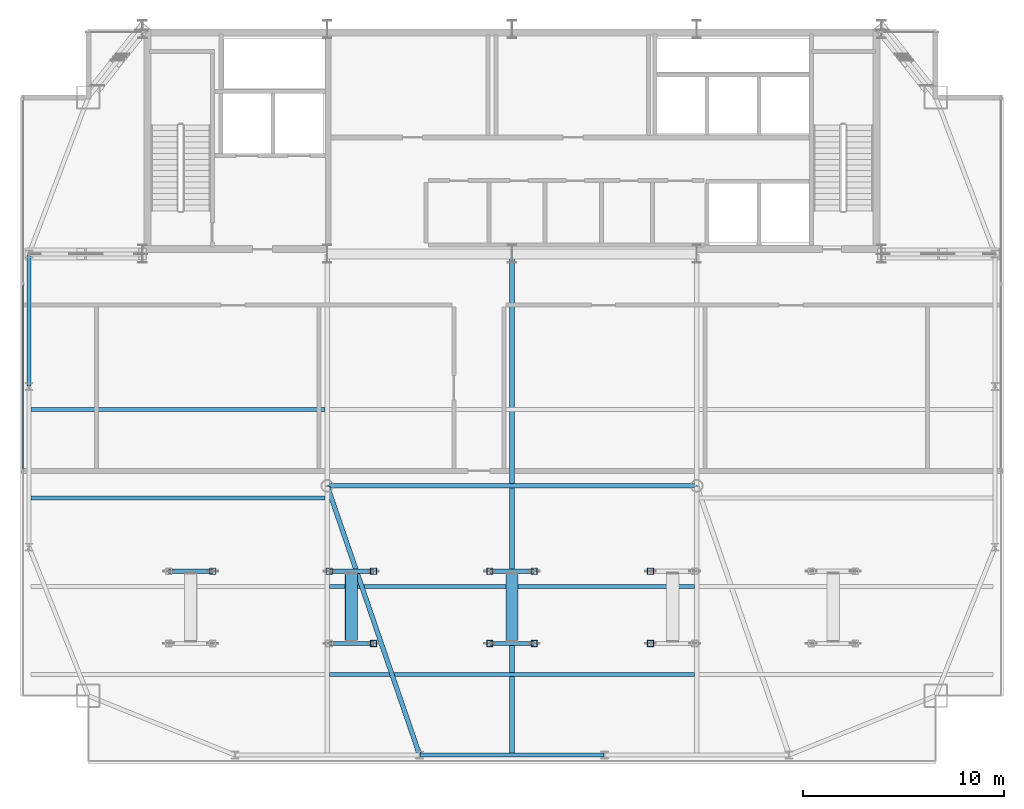
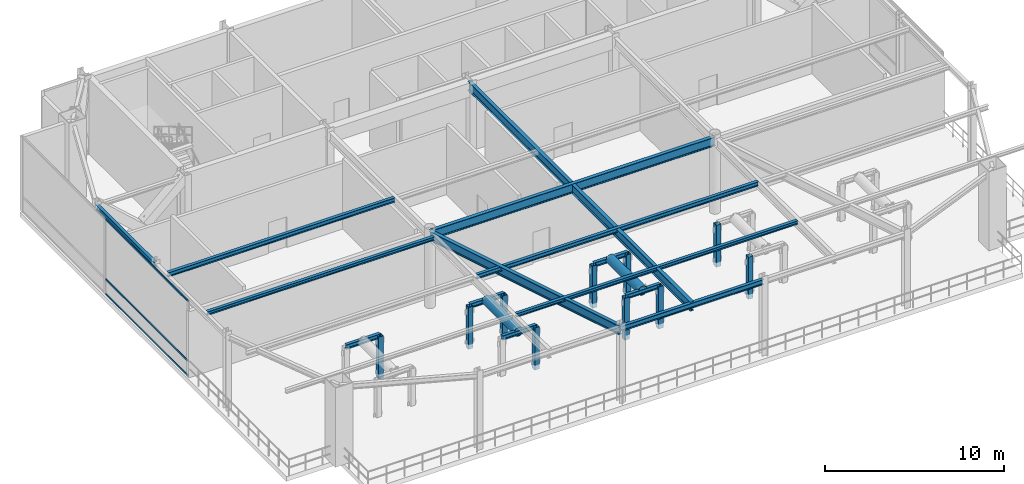
# One storey, part 6 of 21: 15 members, 14 beams, 1 element without a shape of its own.
"""IFC4 building model written with IfcOpenShell, lengths in metres."""

from ifc_helpers import new_model, si_unit, direction, frame, origin, origin_2d, place, context, subcontext, project, spatial, hollow_rectangle, hollow_circle, i_section, extrude, source, transform, mapped, material, layer, layer_set, material_profile, profile_set, type_object, type_shapes, element, aggregate, save


model = new_model("IFC4")

# Units and contexts
model_context = context("Model", 3, precision=1e-05, world=origin(), true_north=direction((0.0, 1.0)))
body_context = subcontext(model_context, "Body", "Model", "MODEL_VIEW")
ifc_project = project(units=[si_unit("LENGTHUNIT", "METRE"), si_unit("AREAUNIT", "SQUARE_METRE"), si_unit("VOLUMEUNIT", "CUBIC_METRE"), si_unit("PLANEANGLEUNIT", "RADIAN"), si_unit("MASSUNIT", "GRAM", prefix="KILO")], contexts=[model_context])

# Site, building, storey
site_placement = place(None, origin())
site = spatial("IfcSite", under=ifc_project, at=site_placement, CompositionType="ELEMENT")
building_placement = place(site_placement, origin())
building = spatial("IfcBuilding", under=site, at=building_placement, Name="Varnel Quay Broadcast Tower", CompositionType="ELEMENT")
storey_placement = place(building_placement, frame((0.0, 0.0, 234.0)))
storey = spatial("IfcBuildingStorey", under=building, at=storey_placement, Name="L58", CompositionType="ELEMENT", Elevation=234.0)

# Beams
ifc_material_1 = material(Name="Structural Steel CSA G40.21 350W", Category="steel")
ifc_material_profile_1 = material_profile(ifc_material_1, i_section(OverallWidth=0.205078125, OverallDepth=0.35400390625, WebThickness=0.009521484375, FlangeThickness=0.016845703125, FilletRadius=0.012939453125, at=origin_2d()), Name="W360X79")
ifc_profile_set_1 = profile_set([ifc_material_profile_1], Name="Structural Steel CSA G40.21 350W")
beam_type_1 = type_object("IfcBeamType", Name="Beam_W360X79", PredefinedType="SPANDREL", material=ifc_profile_set_1)
shared_shape_1 = source(origin(), body_context, "Body", "SweptSolid", [
    extrude(i_section(OverallWidth=0.205078125, OverallDepth=0.35400390625, WebThickness=0.009521484375, FlangeThickness=0.016845703125, FilletRadius=0.012939453125, at=origin_2d()), origin(), (0.0, 0.0, 1.0), 9.16015625),
])
beam_1_placement = place(storey_placement, frame((29.419921875, 10.64990234375, 4.972900390625), z_axis=(1.0, 0.0, 0.0), x_axis=(0.0, 1.0, 0.0)))
element("IfcBeam", 1, at=beam_1_placement, inside=storey, type_object=beam_type_1, Name="L58 South Spandrel TC-S2-TC-S3", PredefinedType="SPANDREL", context=body_context, shape_type="MappedRepresentation", body=[
    mapped(shared_shape_1, transform((0.0, 0.0, 0.0), x_axis=(1.0, 0.0, 0.0), y_axis=(0.0, 1.0, 0.0), z_axis=(0.0, 0.0, 1.0), scale=1.0)),
])
shared_shape_2 = source(origin(), body_context, "Body", "SweptSolid", [
    extrude(i_section(OverallWidth=0.205078125, OverallDepth=0.35400390625, WebThickness=0.009521484375, FlangeThickness=0.016845703125, FilletRadius=0.012939453125, at=origin_2d()), origin(), (0.0, 0.0, 1.0), 6.56005859375),
])
type_shapes(beam_type_1, [shared_shape_1, shared_shape_2])
beam_2_placement = place(storey_placement, frame((9.949951171875, 29.02001953125, 4.972900390625), z_axis=(0.0, 1.0, 0.0), x_axis=(-1.0, 0.0, 0.0)))
element("IfcBeam", 2, at=beam_2_placement, inside=storey, type_object=beam_type_1, Name="L58 West Spandrel TC-W2-TC-W3", PredefinedType="SPANDREL", context=body_context, shape_type="MappedRepresentation", body=[
    mapped(shared_shape_2, transform((0.0, 0.0, 0.0), x_axis=(1.0, 0.0, 0.0), y_axis=(0.0, 1.0, 0.0), z_axis=(0.0, 0.0, 1.0), scale=1.0)),
])
ifc_material_profile_2 = material_profile(ifc_material_1, i_section(OverallWidth=0.22998046875, OverallDepth=0.616943359375, WebThickness=0.01318359375, FlangeThickness=0.022216796875, FilletRadius=0.01611328125, at=origin_2d()), Name="W610X140")
ifc_profile_set_2 = profile_set([ifc_material_profile_2], Name="Structural Steel CSA G40.21 350W")
beam_type_2 = type_object("IfcBeamType", Name="Girder_W610X140", PredefinedType="BEAM", material=ifc_profile_set_2)
shared_shape_3 = source(origin(), body_context, "Body", "SweptSolid", [
    extrude(i_section(OverallWidth=0.22998046875, OverallDepth=0.616943359375, WebThickness=0.01318359375, FlangeThickness=0.022216796875, FilletRadius=0.01611328125, at=origin_2d()), origin(), (0.0, 0.0, 1.0), 14.12744140625),
])
beam_3_placement = place(storey_placement, frame((29.3935546875, 10.6689453125, 4.841552734375), z_axis=(-0.324696747868, 0.945818175932, 0.0), x_axis=(-0.945818175932, -0.324696747868, 0.0)))
element("IfcBeam", 3, at=beam_3_placement, inside=storey, type_object=beam_type_2, Name="L58 Primary Girder TC-S2-IC-01", PredefinedType="BEAM", context=body_context, shape_type="MappedRepresentation", body=[
    mapped(shared_shape_3, transform((0.0, 0.0, 0.0), x_axis=(1.0, 0.0, 0.0), y_axis=(0.0, 1.0, 0.0), z_axis=(0.0, 0.0, 1.0), scale=1.0)),
])
shared_shape_4 = source(origin(), body_context, "Body", "SweptSolid", [
    extrude(i_section(OverallWidth=0.22998046875, OverallDepth=0.616943359375, WebThickness=0.01318359375, FlangeThickness=0.022216796875, FilletRadius=0.01611328125, at=origin_2d()), origin(), (0.0, 0.0, 1.0), 18.35986328125),
])
beam_4_placement = place(storey_placement, frame((24.820068359375, 24.050048828125, 4.841552734375), z_axis=(1.0, 0.0, 0.0), x_axis=(0.0, 1.0, 0.0)))
element("IfcBeam", 4, at=beam_4_placement, inside=storey, type_object=beam_type_2, Name="L58 Interior Spine Girder", PredefinedType="BEAM", context=body_context, shape_type="MappedRepresentation", body=[
    mapped(shared_shape_4, transform((0.0, 0.0, 0.0), x_axis=(1.0, 0.0, 0.0), y_axis=(0.0, 1.0, 0.0), z_axis=(0.0, 0.0, 1.0), scale=1.0)),
])
shared_shape_5 = source(origin(), body_context, "Body", "SweptSolid", [
    extrude(i_section(OverallWidth=0.22998046875, OverallDepth=0.616943359375, WebThickness=0.01318359375, FlangeThickness=0.022216796875, FilletRadius=0.01611328125, at=origin_2d()), origin(), (0.0, 0.0, 1.0), 24.91015625),
])
type_shapes(beam_type_2, [shared_shape_3, shared_shape_4, shared_shape_5])
beam_5_placement = place(storey_placement, frame((34.0, 10.669921875, 4.841552734375), z_axis=(0.0, 1.0, 0.0), x_axis=(-1.0, 0.0, 0.0)))
element("IfcBeam", 5, at=beam_5_placement, inside=storey, type_object=beam_type_2, Name="L58 Central Bay Girder", PredefinedType="BEAM", context=body_context, shape_type="MappedRepresentation", body=[
    mapped(shared_shape_5, transform((0.0, 0.0, 0.0), x_axis=(1.0, 0.0, 0.0), y_axis=(0.0, 1.0, 0.0), z_axis=(0.0, 0.0, 1.0), scale=1.0)),
])
ifc_material_profile_3 = material_profile(ifc_material_1, i_section(OverallWidth=0.201904296875, OverallDepth=0.2470703125, WebThickness=0.00732421875, FlangeThickness=0.010986328125, FilletRadius=0.010986328125, at=origin_2d()), Name="W250X49")
ifc_profile_set_3 = profile_set([ifc_material_profile_3], Name="Structural Steel CSA G40.21 350W")
beam_type_3 = type_object("IfcBeamType", Name="Beam_W250X49", PredefinedType="JOIST", material=ifc_profile_set_3)
shared_shape_6 = source(origin(), body_context, "Body", "SweptSolid", [
    extrude(i_section(OverallWidth=0.201904296875, OverallDepth=0.2470703125, WebThickness=0.00732421875, FlangeThickness=0.010986328125, FilletRadius=0.010986328125, at=origin_2d()), origin(), (0.0, 0.0, 1.0), 14.642333984375),
])
beam_6_placement = place(storey_placement, frame((10.047607421875, 23.449951171875, 5.026611328125), z_axis=(1.0, 0.0, 0.0), x_axis=(0.0, 1.0, 0.0)))
element("IfcBeam", 6, at=beam_6_placement, inside=storey, type_object=beam_type_3, Name="L58 West Floor Joist 3", PredefinedType="JOIST", context=body_context, shape_type="MappedRepresentation", body=[
    mapped(shared_shape_6, transform((0.0, 0.0, 0.0), x_axis=(1.0, 0.0, 0.0), y_axis=(0.0, 1.0, 0.0), z_axis=(0.0, 0.0, 1.0), scale=1.0)),
])
shared_shape_7 = source(origin(), body_context, "Body", "SweptSolid", [
    extrude(i_section(OverallWidth=0.201904296875, OverallDepth=0.2470703125, WebThickness=0.00732421875, FlangeThickness=0.010986328125, FilletRadius=0.010986328125, at=origin_2d()), origin(), (0.0, 0.0, 1.0), 18.18017578125),
])
type_shapes(beam_type_3, [shared_shape_6, shared_shape_7])
beam_7_placement = place(storey_placement, frame((24.909912109375, 14.64990234375, 5.026611328125), z_axis=(1.0, 0.0, 0.0), x_axis=(0.0, 1.0, 0.0)))
element("IfcBeam", 7, at=beam_7_placement, inside=storey, type_object=beam_type_3, Name="L58 Central Floor Joist 1", PredefinedType="JOIST", context=body_context, shape_type="MappedRepresentation", body=[
    mapped(shared_shape_7, transform((0.0, 0.0, 0.0), x_axis=(1.0, 0.0, 0.0), y_axis=(0.0, 1.0, 0.0), z_axis=(0.0, 0.0, 1.0), scale=1.0)),
])
ifc_material_profile_4 = material_profile(ifc_material_1, i_section(OverallWidth=0.202880859375, OverallDepth=0.302978515625, WebThickness=0.007568359375, FlangeThickness=0.01318359375, FilletRadius=0.011962890625, at=origin_2d()), Name="W310X60")
ifc_profile_set_4 = profile_set([ifc_material_profile_4], Name="Structural Steel CSA G40.21 350W")
beam_type_4 = type_object("IfcBeamType", Name="Beam_W310X60", PredefinedType="JOIST", material=ifc_profile_set_4)
shared_shape_8 = source(origin(), body_context, "Body", "SweptSolid", [
    extrude(i_section(OverallWidth=0.202880859375, OverallDepth=0.302978515625, WebThickness=0.007568359375, FlangeThickness=0.01318359375, FilletRadius=0.011962890625, at=origin_2d()), origin(), (0.0, 0.0, 1.0), 14.642333984375),
])
beam_8_placement = place(storey_placement, frame((10.047607421875, 27.85009765625, 4.99853515625), z_axis=(1.0, 0.0, 0.0), x_axis=(0.0, 1.0, 0.0)))
element("IfcBeam", 8, at=beam_8_placement, inside=storey, type_object=beam_type_4, Name="L58 West Floor Joist 4", PredefinedType="JOIST", context=body_context, shape_type="MappedRepresentation", body=[
    mapped(shared_shape_8, transform((0.0, 0.0, 0.0), x_axis=(1.0, 0.0, 0.0), y_axis=(0.0, 1.0, 0.0), z_axis=(0.0, 0.0, 1.0), scale=1.0)),
])
shared_shape_9 = source(origin(), body_context, "Body", "SweptSolid", [
    extrude(i_section(OverallWidth=0.202880859375, OverallDepth=0.302978515625, WebThickness=0.007568359375, FlangeThickness=0.01318359375, FilletRadius=0.011962890625, at=origin_2d()), origin(), (0.0, 0.0, 1.0), 18.18017578125),
])
beam_9_placement = place(storey_placement, frame((24.909912109375, 19.050048828125, 4.99853515625), z_axis=(1.0, 0.0, 0.0), x_axis=(0.0, 1.0, 0.0)))
element("IfcBeam", 9, at=beam_9_placement, inside=storey, type_object=beam_type_4, Name="L58 Central Floor Joist 2", PredefinedType="JOIST", context=body_context, shape_type="MappedRepresentation", body=[
    mapped(shared_shape_9, transform((0.0, 0.0, 0.0), x_axis=(1.0, 0.0, 0.0), y_axis=(0.0, 1.0, 0.0), z_axis=(0.0, 0.0, 1.0), scale=1.0)),
])

# Members
ifc_material_profile_5 = material_profile(ifc_material_1, hollow_rectangle(XDim=0.304931640625, YDim=0.304931640625, WallThickness=0.012939453125, at=origin_2d()), Name="HSS305X305X13")
ifc_profile_set_5 = profile_set([ifc_material_profile_5], Name="Structural Steel CSA G40.21 350W")
member_type_1 = type_object("IfcMemberType", Name="Strut_HSS305X305X13", PredefinedType="STRUT", material=ifc_profile_set_5)
shared_shape_10 = source(origin(), body_context, "Body", "SweptSolid", [
    extrude(hollow_rectangle(XDim=0.304931640625, YDim=0.304931640625, WallThickness=0.012939453125, at=origin_2d()), origin(), (0.0, 0.0, 1.0), 2.8701171875),
])
type_shapes(member_type_1, [shared_shape_10])
for number, where, z_axis, x_axis, name in (
    (10, (19.10009765625, 19.800048828125, -0.320068359375), (0.0, 0.0, 1.0), (1.0, 0.0, 0.0), "L58 Wind Turbine 1 Cradle Post EN"),
    (11, (24.89990234375, 19.800048828125, -0.320068359375), (0.0, 0.0, 1.0), (1.0, 0.0, 0.0), "L58 Wind Turbine 2 Cradle Post WN"),
    (12, (27.10009765625, 16.199951171875, -0.320068359375), (0.0, 0.0, 1.0), (1.0, 0.0, 0.0), "L58 Wind Turbine 2 Cradle Post ES"),
    (13, (27.10009765625, 19.800048828125, -0.320068359375), (0.0, 0.0, 1.0), (1.0, 0.0, 0.0), "L58 Wind Turbine 2 Cradle Post EN"),
    (14, (32.89990234375, 16.199951171875, -0.320068359375), (0.0, 0.0, 1.0), (1.0, 0.0, 0.0), "L58 Wind Turbine 3 Cradle Post WS"),
    (15, (32.89990234375, 19.800048828125, -0.320068359375), (0.0, 0.0, 1.0), (1.0, 0.0, 0.0), "L58 Wind Turbine 3 Cradle Post WN"),
    (16, (35.10009765625, 16.199951171875, -0.320068359375), (0.0, 0.0, 1.0), (1.0, 0.0, 0.0), "L58 Wind Turbine 3 Cradle Post ES"),
    (17, (35.10009765625, 19.800048828125, -0.320068359375), (0.0, 0.0, 1.0), (1.0, 0.0, 0.0), "L58 Wind Turbine 3 Cradle Post EN"),
    (18, (40.89990234375, 16.199951171875, -0.320068359375), (0.0, 0.0, 1.0), (1.0, 0.0, 0.0), "L58 Wind Turbine 4 Cradle Post WS"),
    (19, (40.89990234375, 19.800048828125, -0.320068359375), (0.0, 0.0, 1.0), (1.0, 0.0, 0.0), "L58 Wind Turbine 4 Cradle Post WN"),
):
    element("IfcMember", number, at=place(storey_placement, frame(where, z_axis=z_axis, x_axis=x_axis)), inside=storey, type_object=member_type_1, Name=name, PredefinedType="STRUT", context=body_context, shape_type="MappedRepresentation", body=[
        mapped(shared_shape_10, transform((0.0, 0.0, 0.0), x_axis=(1.0, 0.0, 0.0), y_axis=(0.0, 1.0, 0.0), z_axis=(0.0, 0.0, 1.0), scale=1.0)),
    ])

# Beams
shared_shape_11 = source(origin(), body_context, "Body", "SweptSolid", [
    extrude(i_section(OverallWidth=0.202880859375, OverallDepth=0.302978515625, WebThickness=0.007568359375, FlangeThickness=0.01318359375, FilletRadius=0.011962890625, at=origin_2d()), origin(), (0.0, 0.0, 1.0), 2.2001953125),
])
type_shapes(beam_type_4, [shared_shape_8, shared_shape_9, shared_shape_11])
for number, where, z_axis, x_axis, name in (
    (20, (16.89990234375, 19.800048828125, 2.550048828125), (1.0, 0.0, 0.0), (0.0, 1.0, 0.0), "L58 Wind Turbine 1 North Cradle Beam"),
    (21, (24.89990234375, 16.199951171875, 2.550048828125), (1.0, 0.0, 0.0), (0.0, 1.0, 0.0), "L58 Wind Turbine 2 South Cradle Beam"),
    (22, (24.89990234375, 19.800048828125, 2.550048828125), (1.0, 0.0, 0.0), (0.0, 1.0, 0.0), "L58 Wind Turbine 2 North Cradle Beam"),
    (23, (32.89990234375, 16.199951171875, 2.550048828125), (1.0, 0.0, 0.0), (0.0, 1.0, 0.0), "L58 Wind Turbine 3 South Cradle Beam"),
    (24, (32.89990234375, 19.800048828125, 2.550048828125), (1.0, 0.0, 0.0), (0.0, 1.0, 0.0), "L58 Wind Turbine 3 North Cradle Beam"),
):
    element("IfcBeam", number, at=place(storey_placement, frame(where, z_axis=z_axis, x_axis=x_axis)), inside=storey, type_object=beam_type_4, Name=name, PredefinedType="JOIST", context=body_context, shape_type="MappedRepresentation", body=[
        mapped(shared_shape_11, transform((0.0, 0.0, 0.0), x_axis=(1.0, 0.0, 0.0), y_axis=(0.0, 1.0, 0.0), z_axis=(0.0, 0.0, 1.0), scale=1.0)),
    ])

# Members
ifc_material_profile_6 = material_profile(ifc_material_1, hollow_circle(Radius=0.304931640625, WallThickness=0.02490234375, at=origin_2d()), Name="CHS610X25")
ifc_profile_set_6 = profile_set([ifc_material_profile_6], Name="Structural Steel CSA G40.21 350W")
member_type_2 = type_object("IfcMemberType", Name="Brace_CHS610X25", PredefinedType="BRACE", material=ifc_profile_set_6)
shared_shape_12 = source(origin(), body_context, "Body", "SweptSolid", [
    extrude(hollow_circle(Radius=0.304931640625, WallThickness=0.02490234375, at=origin_2d()), origin(), (0.0, 0.0, 1.0), 3.60009765625),
])
type_shapes(member_type_2, [shared_shape_12])
for number, where, z_axis, x_axis, name in (
    (25, (26.0, 16.199951171875, 2.550048828125), (0.0, 1.0, 0.0), (-1.0, 0.0, 0.0), "L58 Wind Turbine 2 Nacelle Shaft"),
    (26, (34.0, 16.199951171875, 2.550048828125), (0.0, 1.0, 0.0), (-1.0, 0.0, 0.0), "L58 Wind Turbine 3 Nacelle Shaft"),
):
    element("IfcMember", number, at=place(storey_placement, frame(where, z_axis=z_axis, x_axis=x_axis)), inside=storey, type_object=member_type_2, Name=name, PredefinedType="BRACE", context=body_context, shape_type="MappedRepresentation", body=[
        mapped(shared_shape_12, transform((0.0, 0.0, 0.0), x_axis=(1.0, 0.0, 0.0), y_axis=(0.0, 1.0, 0.0), z_axis=(0.0, 0.0, 1.0), scale=1.0)),
    ])

# Curtain wall, members
ifc_material_2 = material(Name="Anodised Bronze Aluminium 6063-T6", Category="aluminium")
ifc_layer = layer(ifc_material_2, 0.18994140625, Name="Anodised Bronze Aluminium 6063-T6")
ifc_layer_set = layer_set([ifc_layer], Name="Anodised Bronze Aluminium 6063-T6")
curtain_wall_type = type_object("IfcCurtainWallType", Name="CW_UpperTower", PredefinedType="NOTDEFINED", material=ifc_layer_set)
curtain_wall_placement = place(storey_placement, origin())
curtain_wall = element("IfcCurtainWall", 27, at=curtain_wall_placement, inside=storey, type_object=curtain_wall_type, Name="L58 West Plant Curtain Wall", PredefinedType="NOTDEFINED")
ifc_material_profile_7 = material_profile(ifc_material_2, hollow_rectangle(XDim=0.06005859375, YDim=0.125, WallThickness=0.0029296875, at=origin_2d()), Name="ALU60X125X3")
ifc_profile_set_7 = profile_set([ifc_material_profile_7], Name="Anodised Bronze Aluminium 6063-T6")
member_type_3 = type_object("IfcMemberType", Name="Tran_CWS-03", PredefinedType="USERDEFINED", material=ifc_profile_set_7)
shared_shape_13 = source(origin(), body_context, "Body", "SweptSolid", [
    extrude(hollow_rectangle(XDim=0.06005859375, YDim=0.125, WallThickness=0.0029296875, at=origin_2d()), origin(), (0.0, 0.0, 1.0), 9.202392578125),
])
type_shapes(member_type_3, [shared_shape_13])
member_1_placement = place(storey_placement, frame((9.64990234375, 24.864990234375, 0.030029296875), z_axis=(0.0, 1.0, 0.0), x_axis=(-1.0, 0.0, 0.0)))
member_1 = element("IfcMember", 28, at=member_1_placement, type_object=member_type_3, Name="CWS-03 transom 1.1", ObjectType="TRANSOM", PredefinedType="USERDEFINED", context=body_context, shape_type="MappedRepresentation", body=[
    mapped(shared_shape_13, transform((0.0, 0.0, 0.0), x_axis=(1.0, 0.0, 0.0), y_axis=(0.0, 1.0, 0.0), z_axis=(0.0, 0.0, 1.0), scale=1.0)),
])
member_2_placement = place(storey_placement, frame((9.64990234375, 24.864990234375, 1.050048828125), z_axis=(0.0, 1.0, 0.0), x_axis=(-1.0, 0.0, 0.0)))
member_2 = element("IfcMember", 29, at=member_2_placement, type_object=member_type_3, Name="CWS-03 transom 1.2", ObjectType="TRANSOM", PredefinedType="USERDEFINED", context=body_context, shape_type="MappedRepresentation", body=[
    mapped(shared_shape_13, transform((0.0, 0.0, 0.0), x_axis=(1.0, 0.0, 0.0), y_axis=(0.0, 1.0, 0.0), z_axis=(0.0, 0.0, 1.0), scale=1.0)),
])
member_3_placement = place(storey_placement, frame((9.64990234375, 24.864990234375, 5.1201171875), z_axis=(0.0, 1.0, 0.0), x_axis=(-1.0, 0.0, 0.0)))
member_3 = element("IfcMember", 30, at=member_3_placement, type_object=member_type_3, Name="CWS-03 transom 1.3", ObjectType="TRANSOM", PredefinedType="USERDEFINED", context=body_context, shape_type="MappedRepresentation", body=[
    mapped(shared_shape_13, transform((0.0, 0.0, 0.0), x_axis=(1.0, 0.0, 0.0), y_axis=(0.0, 1.0, 0.0), z_axis=(0.0, 0.0, 1.0), scale=1.0)),
])
aggregate(curtain_wall, [member_1, member_2, member_3])

save(model, "model.ifc")
